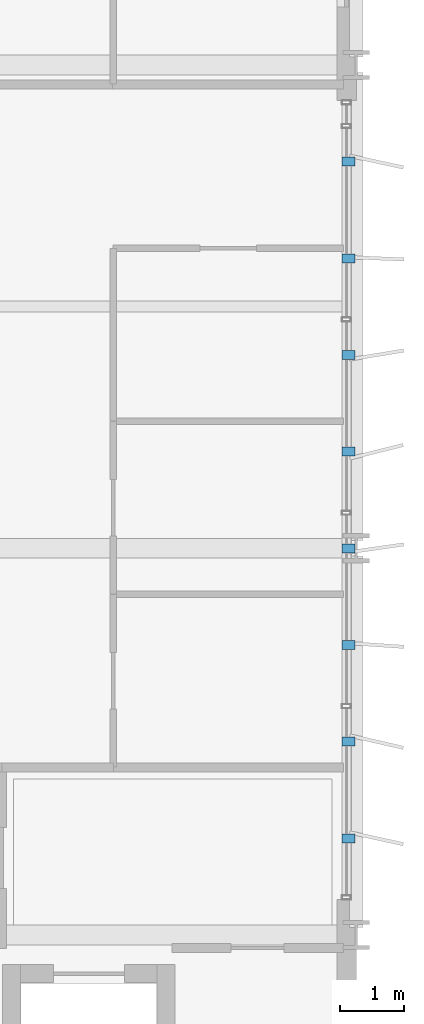
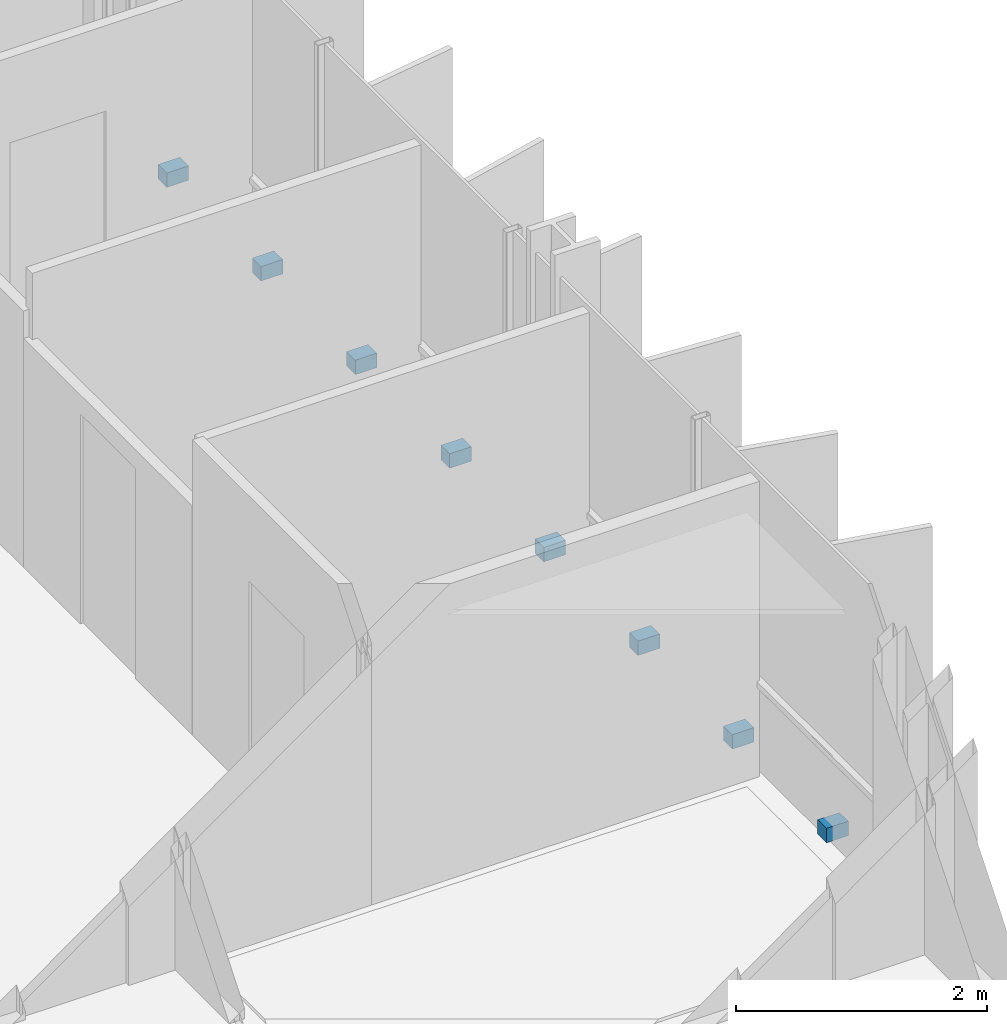
# One storey, part 34 of 38: 8 discrete accessories.
"""IFC4 building model written with IfcOpenShell, lengths in metres."""

from ifc_helpers import new_model, si_unit, direction, frame, origin, origin_2d, place, context, subcontext, project, spatial, rectangle, extrude, material, type_object, element, save


model = new_model("IFC4")

# Units and contexts
model_context = context("Model", 3, precision=1e-05, world=origin(), true_north=direction((0.0, 1.0)))
body_context = subcontext(model_context, "Body", "Model", "MODEL_VIEW")
ifc_project = project(units=[si_unit("LENGTHUNIT", "METRE"), si_unit("AREAUNIT", "SQUARE_METRE"), si_unit("VOLUMEUNIT", "CUBIC_METRE"), si_unit("PLANEANGLEUNIT", "RADIAN"), si_unit("MASSUNIT", "GRAM", prefix="KILO")], contexts=[model_context])

# Site, building, storey
site_placement = place(None, origin())
site = spatial("IfcSite", under=ifc_project, at=site_placement, CompositionType="ELEMENT")
building_placement = place(site_placement, origin())
building = spatial("IfcBuilding", under=site, at=building_placement, Name="Brevholm Reach", CompositionType="ELEMENT")
storey_placement = place(building_placement, frame((0.0, 0.0, 71.39990234375)))
storey = spatial("IfcBuildingStorey", under=building, at=storey_placement, Name="L20", CompositionType="ELEMENT", Elevation=71.39990234375)

# Discrete accessories
ifc_material = material(Name="Duplex Stainless Steel EN 1.4462", Category="steel")
discrete_accessory_type = type_object("IfcDiscreteAccessoryType", Name="ACC-BRK-01", PredefinedType="BRACKET", material=ifc_material)
for number, where, z_axis, x_axis, name in (
    (1, (59.8798828125, 11.5, 0.0302734375), (0.0, 0.0, 1.0), (1.0, 0.0, 0.0), "L20 Solar Screen Support Bracket 1"),
    (2, (59.8798828125, 13.0, 0.0302734375), (0.0, 0.0, 1.0), (1.0, 0.0, 0.0), "L20 Solar Screen Support Bracket 2"),
    (3, (59.8798828125, 14.5, 0.0302734375), (0.0, 0.0, 1.0), (1.0, 0.0, 0.0), "L20 Solar Screen Support Bracket 3"),
    (4, (59.8798828125, 16.0, 0.0302734375), (0.0, 0.0, 1.0), (1.0, 0.0, 0.0), "L20 Solar Screen Support Bracket 4"),
    (5, (59.8798828125, 17.5, 0.0302734375), (0.0, 0.0, 1.0), (1.0, 0.0, 0.0), "L20 Solar Screen Support Bracket 5"),
    (6, (59.8798828125, 19.0, 0.0302734375), (0.0, 0.0, 1.0), (1.0, 0.0, 0.0), "L20 Solar Screen Support Bracket 6"),
    (7, (59.8798828125, 20.5, 0.0302734375), (0.0, 0.0, 1.0), (1.0, 0.0, 0.0), "L20 Solar Screen Support Bracket 7"),
    (8, (59.8798828125, 22.0, 0.0302734375), (0.0, 0.0, 1.0), (1.0, 0.0, 0.0), "L20 Solar Screen Support Bracket 8"),
):
    element("IfcDiscreteAccessory", number, at=place(storey_placement, frame(where, z_axis=z_axis, x_axis=x_axis)), inside=storey, type_object=discrete_accessory_type, Name=name, PredefinedType="BRACKET", context=body_context, shape_type="SweptSolid", body=[
        extrude(rectangle(XDim=0.199951171875, YDim=0.139892578125, at=origin_2d()), origin(), (0.0, 0.0, 1.0), 0.139892578125),
    ])

save(model, "model.ifc")
